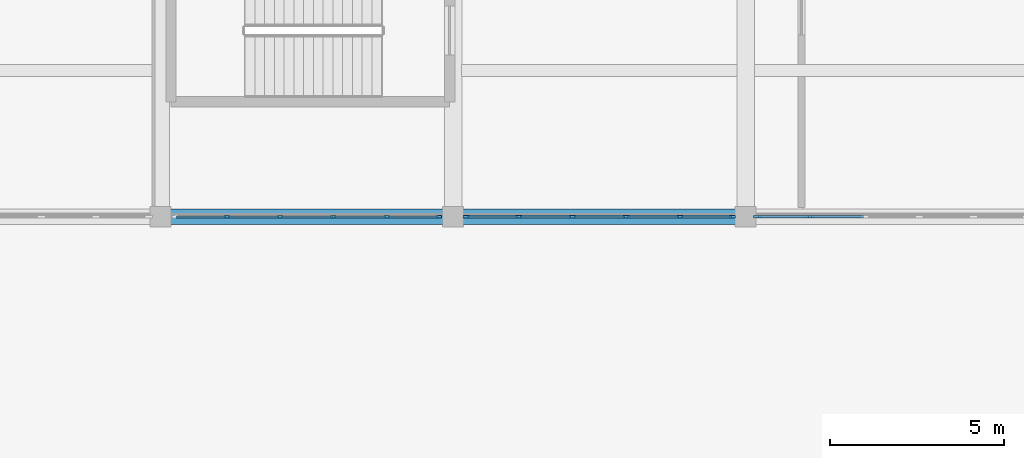
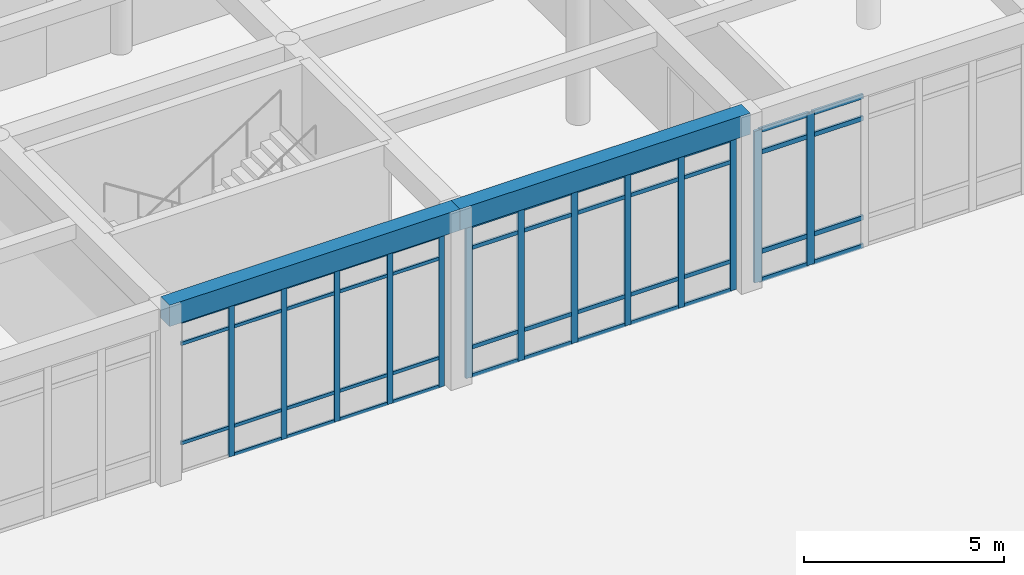
# One storey, part 25 of 157: 60 members, 2 beams, 3 elements without a shape of their own.
"""IFC4 building model written with IfcOpenShell, lengths in metres."""

from ifc_helpers import new_model, si_unit, direction, frame, origin, origin_2d, place, context, subcontext, project, spatial, rectangle, extrude, material, material_profile, profile_set, type_object, element, aggregate, save


model = new_model("IFC4")

# Units and contexts
model_context = context("Model", 3, precision=1e-05, world=origin(), true_north=direction((0.0, 1.0)))
body_context = subcontext(model_context, "Body", "Model", "MODEL_VIEW")
ifc_project = project(units=[si_unit("LENGTHUNIT", "METRE"), si_unit("AREAUNIT", "SQUARE_METRE"), si_unit("VOLUMEUNIT", "CUBIC_METRE"), si_unit("PLANEANGLEUNIT", "RADIAN"), si_unit("MASSUNIT", "GRAM", prefix="KILO")], contexts=[model_context])

# Site, building, storey
site_placement = place(None, origin())
site = spatial("IfcSite", under=ifc_project, at=site_placement, CompositionType="ELEMENT")
building_placement = place(site_placement, origin())
building = spatial("IfcBuilding", under=site, at=building_placement, Name="Varncliffe General Hospital", CompositionType="ELEMENT")
storey_placement = place(building_placement, frame((0.0, 0.0, 5.39990234375)))
storey = spatial("IfcBuildingStorey", under=building, at=storey_placement, Name="L01", CompositionType="ELEMENT", Elevation=5.39990234375)

# Curtain wall, members
ifc_material_1 = material(Name="Triple low-E argon insulated vision glazing", Category="glass")
curtain_wall_type_1 = type_object("IfcCurtainWallType", Name="Unitised Glazed Curtain Wall CW70 (7724x4640)", PredefinedType="USERDEFINED", material=ifc_material_1)
curtain_wall_1_placement = place(storey_placement, origin())
curtain_wall_1 = element("IfcCurtainWall", 1, at=curtain_wall_1_placement, inside=storey, type_object=curtain_wall_type_1, Name="L01 Glazed Curtain Wall CW70-103", ObjectType="GLAZED CURTAIN WALL", PredefinedType="USERDEFINED")
ifc_material_2 = material(Name="Dark bronze thermally broken aluminium framing", Category="aluminium")
ifc_material_profile_1 = material_profile(ifc_material_2, rectangle(XDim=0.074951171875, YDim=0.179931640625, at=origin_2d()), Name="ALU 75x180")
ifc_profile_set_1 = profile_set([ifc_material_profile_1], Name="Dark bronze thermally broken aluminium framing")
member_type_1 = type_object("IfcMemberType", Name="Curtain Wall Mullion CM44 (ALU 75x180)", PredefinedType="MULLION", material=ifc_profile_set_1)
member_1_placement = place(storey_placement, frame((92.0244140625, 57.60009765625, 0.0), z_axis=(0.0, 0.0, 1.0), x_axis=(0.0, -1.0, 0.0)))
member_1 = element("IfcMember", 2, at=member_1_placement, type_object=member_type_1, Name="CW70 mullion 1", PredefinedType="MULLION", context=body_context, shape_type="SweptSolid", body=[
    extrude(rectangle(XDim=0.074951171875, YDim=0.179931640625, at=origin_2d()), origin(), (0.0, 0.0, 1.0), 4.64013671875),
])
member_2_placement = place(storey_placement, frame((90.51708984375, 57.60009765625, 0.0), z_axis=(0.0, 0.0, 1.0), x_axis=(0.0, -1.0, 0.0)))
member_2 = element("IfcMember", 3, at=member_2_placement, type_object=member_type_1, Name="CW70 mullion 2", PredefinedType="MULLION", context=body_context, shape_type="SweptSolid", body=[
    extrude(rectangle(XDim=0.074951171875, YDim=0.179931640625, at=origin_2d()), origin(), (0.0, 0.0, 1.0), 4.64013671875),
])
member_3_placement = place(storey_placement, frame((88.972412109375, 57.60009765625, 0.0), z_axis=(0.0, 0.0, 1.0), x_axis=(0.0, -1.0, 0.0)))
member_3 = element("IfcMember", 4, at=member_3_placement, type_object=member_type_1, Name="CW70 mullion 3", PredefinedType="MULLION", context=body_context, shape_type="SweptSolid", body=[
    extrude(rectangle(XDim=0.074951171875, YDim=0.179931640625, at=origin_2d()), origin(), (0.0, 0.0, 1.0), 4.64013671875),
])
member_4_placement = place(storey_placement, frame((87.427490234375, 57.60009765625, 0.0), z_axis=(0.0, 0.0, 1.0), x_axis=(0.0, -1.0, 0.0)))
member_4 = element("IfcMember", 5, at=member_4_placement, type_object=member_type_1, Name="CW70 mullion 4", PredefinedType="MULLION", context=body_context, shape_type="SweptSolid", body=[
    extrude(rectangle(XDim=0.074951171875, YDim=0.179931640625, at=origin_2d()), origin(), (0.0, 0.0, 1.0), 4.64013671875),
])
member_5_placement = place(storey_placement, frame((85.8828125, 57.60009765625, 0.0), z_axis=(0.0, 0.0, 1.0), x_axis=(0.0, -1.0, 0.0)))
member_5 = element("IfcMember", 6, at=member_5_placement, type_object=member_type_1, Name="CW70 mullion 5", PredefinedType="MULLION", context=body_context, shape_type="SweptSolid", body=[
    extrude(rectangle(XDim=0.074951171875, YDim=0.179931640625, at=origin_2d()), origin(), (0.0, 0.0, 1.0), 4.64013671875),
])
member_6_placement = place(storey_placement, frame((84.37548828125, 57.60009765625, 0.0), z_axis=(0.0, 0.0, 1.0), x_axis=(0.0, -1.0, 0.0)))
member_6 = element("IfcMember", 7, at=member_6_placement, type_object=member_type_1, Name="CW70 mullion 6", PredefinedType="MULLION", context=body_context, shape_type="SweptSolid", body=[
    extrude(rectangle(XDim=0.074951171875, YDim=0.179931640625, at=origin_2d()), origin(), (0.0, 0.0, 1.0), 4.64013671875),
])

curtain_wall_type_2 = type_object("IfcCurtainWallType", Name="Unitised Glazed Curtain Wall CW27 (7644x4640)", PredefinedType="USERDEFINED", material=ifc_material_1)
curtain_wall_2_placement = place(storey_placement, origin())
curtain_wall_2 = element("IfcCurtainWall", 8, at=curtain_wall_2_placement, inside=storey, type_object=curtain_wall_type_2, Name="L01 Glazed Curtain Wall CW27-104", ObjectType="GLAZED CURTAIN WALL", PredefinedType="USERDEFINED")
ifc_material_profile_2 = material_profile(ifc_material_2, rectangle(XDim=0.06494140625, YDim=0.159912109375, at=origin_2d()), Name="ALU 65x160")
ifc_profile_set_2 = profile_set([ifc_material_profile_2], Name="Dark bronze thermally broken aluminium framing")
member_type_2 = type_object("IfcMemberType", Name="Curtain Wall Mullion CM65 (ALU 65x160)", PredefinedType="MULLION", material=ifc_profile_set_2)
member_7_placement = place(storey_placement, frame((83.589599609375, 57.60009765625, 0.0), z_axis=(0.0, 0.0, 1.0), x_axis=(0.0, -1.0, 0.0)))
member_7 = element("IfcMember", 9, at=member_7_placement, type_object=member_type_2, Name="CW27 mullion 1", PredefinedType="MULLION", context=body_context, shape_type="SweptSolid", body=[
    extrude(rectangle(XDim=0.06494140625, YDim=0.159912109375, at=origin_2d()), origin(), (0.0, 0.0, 1.0), 4.64013671875),
])
member_8_placement = place(storey_placement, frame((82.09326171875, 57.60009765625, 0.0), z_axis=(0.0, 0.0, 1.0), x_axis=(0.0, -1.0, 0.0)))
member_8 = element("IfcMember", 10, at=member_8_placement, type_object=member_type_2, Name="CW27 mullion 2", PredefinedType="MULLION", context=body_context, shape_type="SweptSolid", body=[
    extrude(rectangle(XDim=0.06494140625, YDim=0.159912109375, at=origin_2d()), origin(), (0.0, 0.0, 1.0), 4.64013671875),
])
member_9_placement = place(storey_placement, frame((80.564453125, 57.60009765625, 0.0), z_axis=(0.0, 0.0, 1.0), x_axis=(0.0, -1.0, 0.0)))
member_9 = element("IfcMember", 11, at=member_9_placement, type_object=member_type_2, Name="CW27 mullion 3", PredefinedType="MULLION", context=body_context, shape_type="SweptSolid", body=[
    extrude(rectangle(XDim=0.06494140625, YDim=0.159912109375, at=origin_2d()), origin(), (0.0, 0.0, 1.0), 4.64013671875),
])
member_10_placement = place(storey_placement, frame((79.03564453125, 57.60009765625, 0.0), z_axis=(0.0, 0.0, 1.0), x_axis=(0.0, -1.0, 0.0)))
member_10 = element("IfcMember", 12, at=member_10_placement, type_object=member_type_2, Name="CW27 mullion 4", PredefinedType="MULLION", context=body_context, shape_type="SweptSolid", body=[
    extrude(rectangle(XDim=0.06494140625, YDim=0.159912109375, at=origin_2d()), origin(), (0.0, 0.0, 1.0), 4.64013671875),
])
member_11_placement = place(storey_placement, frame((77.5068359375, 57.60009765625, 0.0), z_axis=(0.0, 0.0, 1.0), x_axis=(0.0, -1.0, 0.0)))
member_11 = element("IfcMember", 13, at=member_11_placement, type_object=member_type_2, Name="CW27 mullion 5", PredefinedType="MULLION", context=body_context, shape_type="SweptSolid", body=[
    extrude(rectangle(XDim=0.06494140625, YDim=0.159912109375, at=origin_2d()), origin(), (0.0, 0.0, 1.0), 4.64013671875),
])

curtain_wall_type_3 = type_object("IfcCurtainWallType", Name="Unitised Glazed Curtain Wall CW85 (7804x4640)", PredefinedType="USERDEFINED", material=ifc_material_1)
curtain_wall_3_placement = place(storey_placement, origin())
curtain_wall_3 = element("IfcCurtainWall", 14, at=curtain_wall_3_placement, inside=storey, type_object=curtain_wall_type_3, Name="L01 Glazed Curtain Wall CW85-102", ObjectType="GLAZED CURTAIN WALL", PredefinedType="USERDEFINED")
ifc_material_profile_3 = material_profile(ifc_material_2, rectangle(XDim=0.074951171875, YDim=0.219970703125, at=origin_2d()), Name="ALU 75x220")
ifc_profile_set_3 = profile_set([ifc_material_profile_3], Name="Dark bronze thermally broken aluminium framing")
member_type_3 = type_object("IfcMemberType", Name="Curtain Wall Mullion CM74 (ALU 75x220)", PredefinedType="MULLION", material=ifc_profile_set_3)
member_12_placement = place(storey_placement, frame((94.2587890625, 57.60009765625, 0.0), z_axis=(0.0, 0.0, 1.0), x_axis=(0.0, -1.0, 0.0)))
member_12 = element("IfcMember", 15, at=member_12_placement, type_object=member_type_3, Name="CW85 mullion 5", PredefinedType="MULLION", context=body_context, shape_type="SweptSolid", body=[
    extrude(rectangle(XDim=0.074951171875, YDim=0.219970703125, at=origin_2d()), origin(), (0.0, 0.0, 1.0), 4.64013671875),
])
member_13_placement = place(storey_placement, frame((92.735595703125, 57.60009765625, 0.0), z_axis=(0.0, 0.0, 1.0), x_axis=(0.0, -1.0, 0.0)))
member_13 = element("IfcMember", 16, at=member_13_placement, type_object=member_type_3, Name="CW85 mullion 6", PredefinedType="MULLION", context=body_context, shape_type="SweptSolid", body=[
    extrude(rectangle(XDim=0.074951171875, YDim=0.219970703125, at=origin_2d()), origin(), (0.0, 0.0, 1.0), 4.64013671875),
])

# Member
ifc_material_profile_4 = material_profile(ifc_material_2, rectangle(XDim=0.06005859375, YDim=0.1201171875, at=origin_2d()), Name="ALU 60x120")
ifc_profile_set_4 = profile_set([ifc_material_profile_4], Name="Dark bronze thermally broken aluminium framing")
member_type_4 = type_object("IfcMemberType", Name="Curtain Wall Transom CT14 (ALU 60x120)", PredefinedType="USERDEFINED", material=ifc_profile_set_4)
member_14_placement = place(storey_placement, frame((91.987060546875, 57.60009765625, 0.030029296875), z_axis=(-1.0, 0.0, 0.0), x_axis=(0.0, -1.0, 0.0)))
member_14 = element("IfcMember", 17, at=member_14_placement, type_object=member_type_4, Name="CW70 transom 1.1", ObjectType="TRANSOM", PredefinedType="USERDEFINED", context=body_context, shape_type="SweptSolid", body=[
    extrude(rectangle(XDim=0.06005859375, YDim=0.1201171875, at=origin_2d()), origin(), (0.0, 0.0, 1.0), 1.432373046875),
])

member_15_placement = place(storey_placement, frame((91.987060546875, 57.60009765625, 0.900146484375), z_axis=(-1.0, 0.0, 0.0), x_axis=(0.0, -1.0, 0.0)))
member_15 = element("IfcMember", 18, at=member_15_placement, type_object=member_type_4, Name="CW70 transom 1.2", ObjectType="TRANSOM", PredefinedType="USERDEFINED", context=body_context, shape_type="SweptSolid", body=[
    extrude(rectangle(XDim=0.06005859375, YDim=0.1201171875, at=origin_2d()), origin(), (0.0, 0.0, 1.0), 1.432373046875),
])

member_16_placement = place(storey_placement, frame((91.987060546875, 57.60009765625, 3.940185546875), z_axis=(-1.0, 0.0, 0.0), x_axis=(0.0, -1.0, 0.0)))
member_16 = element("IfcMember", 19, at=member_16_placement, type_object=member_type_4, Name="CW70 transom 1.3", ObjectType="TRANSOM", PredefinedType="USERDEFINED", context=body_context, shape_type="SweptSolid", body=[
    extrude(rectangle(XDim=0.06005859375, YDim=0.1201171875, at=origin_2d()), origin(), (0.0, 0.0, 1.0), 1.432373046875),
])

member_17_placement = place(storey_placement, frame((91.987060546875, 57.60009765625, 4.610107421875), z_axis=(-1.0, 0.0, 0.0), x_axis=(0.0, -1.0, 0.0)))
member_17 = element("IfcMember", 20, at=member_17_placement, type_object=member_type_4, Name="CW70 transom 1.4", ObjectType="TRANSOM", PredefinedType="USERDEFINED", context=body_context, shape_type="SweptSolid", body=[
    extrude(rectangle(XDim=0.06005859375, YDim=0.1201171875, at=origin_2d()), origin(), (0.0, 0.0, 1.0), 1.432373046875),
])

member_18_placement = place(storey_placement, frame((90.479736328125, 57.60009765625, 0.030029296875), z_axis=(-1.0, 0.0, 0.0), x_axis=(0.0, -1.0, 0.0)))
member_18 = element("IfcMember", 21, at=member_18_placement, type_object=member_type_4, Name="CW70 transom 2.1", ObjectType="TRANSOM", PredefinedType="USERDEFINED", context=body_context, shape_type="SweptSolid", body=[
    extrude(rectangle(XDim=0.06005859375, YDim=0.1201171875, at=origin_2d()), origin(), (0.0, 0.0, 1.0), 1.4697265625),
])

member_19_placement = place(storey_placement, frame((90.479736328125, 57.60009765625, 0.900146484375), z_axis=(-1.0, 0.0, 0.0), x_axis=(0.0, -1.0, 0.0)))
member_19 = element("IfcMember", 22, at=member_19_placement, type_object=member_type_4, Name="CW70 transom 2.2", ObjectType="TRANSOM", PredefinedType="USERDEFINED", context=body_context, shape_type="SweptSolid", body=[
    extrude(rectangle(XDim=0.06005859375, YDim=0.1201171875, at=origin_2d()), origin(), (0.0, 0.0, 1.0), 1.4697265625),
])

member_20_placement = place(storey_placement, frame((90.479736328125, 57.60009765625, 3.940185546875), z_axis=(-1.0, 0.0, 0.0), x_axis=(0.0, -1.0, 0.0)))
member_20 = element("IfcMember", 23, at=member_20_placement, type_object=member_type_4, Name="CW70 transom 2.3", ObjectType="TRANSOM", PredefinedType="USERDEFINED", context=body_context, shape_type="SweptSolid", body=[
    extrude(rectangle(XDim=0.06005859375, YDim=0.1201171875, at=origin_2d()), origin(), (0.0, 0.0, 1.0), 1.4697265625),
])

member_21_placement = place(storey_placement, frame((90.479736328125, 57.60009765625, 4.610107421875), z_axis=(-1.0, 0.0, 0.0), x_axis=(0.0, -1.0, 0.0)))
member_21 = element("IfcMember", 24, at=member_21_placement, type_object=member_type_4, Name="CW70 transom 2.4", ObjectType="TRANSOM", PredefinedType="USERDEFINED", context=body_context, shape_type="SweptSolid", body=[
    extrude(rectangle(XDim=0.06005859375, YDim=0.1201171875, at=origin_2d()), origin(), (0.0, 0.0, 1.0), 1.4697265625),
])

member_22_placement = place(storey_placement, frame((88.934814453125, 57.60009765625, 0.030029296875), z_axis=(-1.0, 0.0, 0.0), x_axis=(0.0, -1.0, 0.0)))
member_22 = element("IfcMember", 25, at=member_22_placement, type_object=member_type_4, Name="CW70 transom 3.1", ObjectType="TRANSOM", PredefinedType="USERDEFINED", context=body_context, shape_type="SweptSolid", body=[
    extrude(rectangle(XDim=0.06005859375, YDim=0.1201171875, at=origin_2d()), origin(), (0.0, 0.0, 1.0), 1.4697265625),
])

member_23_placement = place(storey_placement, frame((88.934814453125, 57.60009765625, 0.900146484375), z_axis=(-1.0, 0.0, 0.0), x_axis=(0.0, -1.0, 0.0)))
member_23 = element("IfcMember", 26, at=member_23_placement, type_object=member_type_4, Name="CW70 transom 3.2", ObjectType="TRANSOM", PredefinedType="USERDEFINED", context=body_context, shape_type="SweptSolid", body=[
    extrude(rectangle(XDim=0.06005859375, YDim=0.1201171875, at=origin_2d()), origin(), (0.0, 0.0, 1.0), 1.4697265625),
])

member_24_placement = place(storey_placement, frame((88.934814453125, 57.60009765625, 3.940185546875), z_axis=(-1.0, 0.0, 0.0), x_axis=(0.0, -1.0, 0.0)))
member_24 = element("IfcMember", 27, at=member_24_placement, type_object=member_type_4, Name="CW70 transom 3.3", ObjectType="TRANSOM", PredefinedType="USERDEFINED", context=body_context, shape_type="SweptSolid", body=[
    extrude(rectangle(XDim=0.06005859375, YDim=0.1201171875, at=origin_2d()), origin(), (0.0, 0.0, 1.0), 1.4697265625),
])

member_25_placement = place(storey_placement, frame((88.934814453125, 57.60009765625, 4.610107421875), z_axis=(-1.0, 0.0, 0.0), x_axis=(0.0, -1.0, 0.0)))
member_25 = element("IfcMember", 28, at=member_25_placement, type_object=member_type_4, Name="CW70 transom 3.4", ObjectType="TRANSOM", PredefinedType="USERDEFINED", context=body_context, shape_type="SweptSolid", body=[
    extrude(rectangle(XDim=0.06005859375, YDim=0.1201171875, at=origin_2d()), origin(), (0.0, 0.0, 1.0), 1.4697265625),
])

member_26_placement = place(storey_placement, frame((87.39013671875, 57.60009765625, 0.030029296875), z_axis=(-1.0, 0.0, 0.0), x_axis=(0.0, -1.0, 0.0)))
member_26 = element("IfcMember", 29, at=member_26_placement, type_object=member_type_4, Name="CW70 transom 4.1", ObjectType="TRANSOM", PredefinedType="USERDEFINED", context=body_context, shape_type="SweptSolid", body=[
    extrude(rectangle(XDim=0.06005859375, YDim=0.1201171875, at=origin_2d()), origin(), (0.0, 0.0, 1.0), 1.4697265625),
])

member_27_placement = place(storey_placement, frame((87.39013671875, 57.60009765625, 0.900146484375), z_axis=(-1.0, 0.0, 0.0), x_axis=(0.0, -1.0, 0.0)))
member_27 = element("IfcMember", 30, at=member_27_placement, type_object=member_type_4, Name="CW70 transom 4.2", ObjectType="TRANSOM", PredefinedType="USERDEFINED", context=body_context, shape_type="SweptSolid", body=[
    extrude(rectangle(XDim=0.06005859375, YDim=0.1201171875, at=origin_2d()), origin(), (0.0, 0.0, 1.0), 1.4697265625),
])

member_28_placement = place(storey_placement, frame((87.39013671875, 57.60009765625, 3.940185546875), z_axis=(-1.0, 0.0, 0.0), x_axis=(0.0, -1.0, 0.0)))
member_28 = element("IfcMember", 31, at=member_28_placement, type_object=member_type_4, Name="CW70 transom 4.3", ObjectType="TRANSOM", PredefinedType="USERDEFINED", context=body_context, shape_type="SweptSolid", body=[
    extrude(rectangle(XDim=0.06005859375, YDim=0.1201171875, at=origin_2d()), origin(), (0.0, 0.0, 1.0), 1.4697265625),
])

member_29_placement = place(storey_placement, frame((87.39013671875, 57.60009765625, 4.610107421875), z_axis=(-1.0, 0.0, 0.0), x_axis=(0.0, -1.0, 0.0)))
member_29 = element("IfcMember", 32, at=member_29_placement, type_object=member_type_4, Name="CW70 transom 4.4", ObjectType="TRANSOM", PredefinedType="USERDEFINED", context=body_context, shape_type="SweptSolid", body=[
    extrude(rectangle(XDim=0.06005859375, YDim=0.1201171875, at=origin_2d()), origin(), (0.0, 0.0, 1.0), 1.4697265625),
])

member_30_placement = place(storey_placement, frame((85.84521484375, 57.60009765625, 0.030029296875), z_axis=(-1.0, 0.0, 0.0), x_axis=(0.0, -1.0, 0.0)))
member_30 = element("IfcMember", 33, at=member_30_placement, type_object=member_type_4, Name="CW70 transom 5.1", ObjectType="TRANSOM", PredefinedType="USERDEFINED", context=body_context, shape_type="SweptSolid", body=[
    extrude(rectangle(XDim=0.06005859375, YDim=0.1201171875, at=origin_2d()), origin(), (0.0, 0.0, 1.0), 1.43212890625),
])

member_31_placement = place(storey_placement, frame((85.84521484375, 57.60009765625, 0.900146484375), z_axis=(-1.0, 0.0, 0.0), x_axis=(0.0, -1.0, 0.0)))
member_31 = element("IfcMember", 34, at=member_31_placement, type_object=member_type_4, Name="CW70 transom 5.2", ObjectType="TRANSOM", PredefinedType="USERDEFINED", context=body_context, shape_type="SweptSolid", body=[
    extrude(rectangle(XDim=0.06005859375, YDim=0.1201171875, at=origin_2d()), origin(), (0.0, 0.0, 1.0), 1.43212890625),
])

member_32_placement = place(storey_placement, frame((85.84521484375, 57.60009765625, 3.940185546875), z_axis=(-1.0, 0.0, 0.0), x_axis=(0.0, -1.0, 0.0)))
member_32 = element("IfcMember", 35, at=member_32_placement, type_object=member_type_4, Name="CW70 transom 5.3", ObjectType="TRANSOM", PredefinedType="USERDEFINED", context=body_context, shape_type="SweptSolid", body=[
    extrude(rectangle(XDim=0.06005859375, YDim=0.1201171875, at=origin_2d()), origin(), (0.0, 0.0, 1.0), 1.43212890625),
])

member_33_placement = place(storey_placement, frame((85.84521484375, 57.60009765625, 4.610107421875), z_axis=(-1.0, 0.0, 0.0), x_axis=(0.0, -1.0, 0.0)))
member_33 = element("IfcMember", 36, at=member_33_placement, type_object=member_type_4, Name="CW70 transom 5.4", ObjectType="TRANSOM", PredefinedType="USERDEFINED", context=body_context, shape_type="SweptSolid", body=[
    extrude(rectangle(XDim=0.06005859375, YDim=0.1201171875, at=origin_2d()), origin(), (0.0, 0.0, 1.0), 1.43212890625),
])

aggregate(curtain_wall_1, [member_1, member_2, member_3, member_4, member_5, member_6, member_14, member_15, member_16, member_17, member_18, member_19, member_20, member_21, member_22, member_23, member_24, member_25, member_26, member_27, member_28, member_29, member_30, member_31, member_32, member_33])

ifc_material_profile_5 = material_profile(ifc_material_2, rectangle(XDim=0.06005859375, YDim=0.10009765625, at=origin_2d()), Name="ALU 60x100")
ifc_profile_set_5 = profile_set([ifc_material_profile_5], Name="Dark bronze thermally broken aluminium framing")
member_type_5 = type_object("IfcMemberType", Name="Curtain Wall Transom CT18 (ALU 60x100)", PredefinedType="USERDEFINED", material=ifc_profile_set_5)
member_34_placement = place(storey_placement, frame((83.556884765625, 57.60009765625, 0.030029296875), z_axis=(-1.0, 0.0, 0.0), x_axis=(0.0, -1.0, 0.0)))
member_34 = element("IfcMember", 37, at=member_34_placement, type_object=member_type_5, Name="CW27 transom 1.1", ObjectType="TRANSOM", PredefinedType="USERDEFINED", context=body_context, shape_type="SweptSolid", body=[
    extrude(rectangle(XDim=0.06005859375, YDim=0.10009765625, at=origin_2d()), origin(), (0.0, 0.0, 1.0), 1.43115234375),
])

member_35_placement = place(storey_placement, frame((83.556884765625, 57.60009765625, 0.900146484375), z_axis=(-1.0, 0.0, 0.0), x_axis=(0.0, -1.0, 0.0)))
member_35 = element("IfcMember", 38, at=member_35_placement, type_object=member_type_5, Name="CW27 transom 1.2", ObjectType="TRANSOM", PredefinedType="USERDEFINED", context=body_context, shape_type="SweptSolid", body=[
    extrude(rectangle(XDim=0.06005859375, YDim=0.10009765625, at=origin_2d()), origin(), (0.0, 0.0, 1.0), 1.43115234375),
])

member_36_placement = place(storey_placement, frame((83.556884765625, 57.60009765625, 3.940185546875), z_axis=(-1.0, 0.0, 0.0), x_axis=(0.0, -1.0, 0.0)))
member_36 = element("IfcMember", 39, at=member_36_placement, type_object=member_type_5, Name="CW27 transom 1.3", ObjectType="TRANSOM", PredefinedType="USERDEFINED", context=body_context, shape_type="SweptSolid", body=[
    extrude(rectangle(XDim=0.06005859375, YDim=0.10009765625, at=origin_2d()), origin(), (0.0, 0.0, 1.0), 1.43115234375),
])

member_37_placement = place(storey_placement, frame((83.556884765625, 57.60009765625, 4.610107421875), z_axis=(-1.0, 0.0, 0.0), x_axis=(0.0, -1.0, 0.0)))
member_37 = element("IfcMember", 40, at=member_37_placement, type_object=member_type_5, Name="CW27 transom 1.4", ObjectType="TRANSOM", PredefinedType="USERDEFINED", context=body_context, shape_type="SweptSolid", body=[
    extrude(rectangle(XDim=0.06005859375, YDim=0.10009765625, at=origin_2d()), origin(), (0.0, 0.0, 1.0), 1.43115234375),
])

member_38_placement = place(storey_placement, frame((82.060791015625, 57.60009765625, 0.030029296875), z_axis=(-1.0, 0.0, 0.0), x_axis=(0.0, -1.0, 0.0)))
member_38 = element("IfcMember", 41, at=member_38_placement, type_object=member_type_5, Name="CW27 transom 2.1", ObjectType="TRANSOM", PredefinedType="USERDEFINED", context=body_context, shape_type="SweptSolid", body=[
    extrude(rectangle(XDim=0.06005859375, YDim=0.10009765625, at=origin_2d()), origin(), (0.0, 0.0, 1.0), 1.4638671875),
])

member_39_placement = place(storey_placement, frame((82.060791015625, 57.60009765625, 0.900146484375), z_axis=(-1.0, 0.0, 0.0), x_axis=(0.0, -1.0, 0.0)))
member_39 = element("IfcMember", 42, at=member_39_placement, type_object=member_type_5, Name="CW27 transom 2.2", ObjectType="TRANSOM", PredefinedType="USERDEFINED", context=body_context, shape_type="SweptSolid", body=[
    extrude(rectangle(XDim=0.06005859375, YDim=0.10009765625, at=origin_2d()), origin(), (0.0, 0.0, 1.0), 1.4638671875),
])

member_40_placement = place(storey_placement, frame((82.060791015625, 57.60009765625, 3.940185546875), z_axis=(-1.0, 0.0, 0.0), x_axis=(0.0, -1.0, 0.0)))
member_40 = element("IfcMember", 43, at=member_40_placement, type_object=member_type_5, Name="CW27 transom 2.3", ObjectType="TRANSOM", PredefinedType="USERDEFINED", context=body_context, shape_type="SweptSolid", body=[
    extrude(rectangle(XDim=0.06005859375, YDim=0.10009765625, at=origin_2d()), origin(), (0.0, 0.0, 1.0), 1.4638671875),
])

member_41_placement = place(storey_placement, frame((82.060791015625, 57.60009765625, 4.610107421875), z_axis=(-1.0, 0.0, 0.0), x_axis=(0.0, -1.0, 0.0)))
member_41 = element("IfcMember", 44, at=member_41_placement, type_object=member_type_5, Name="CW27 transom 2.4", ObjectType="TRANSOM", PredefinedType="USERDEFINED", context=body_context, shape_type="SweptSolid", body=[
    extrude(rectangle(XDim=0.06005859375, YDim=0.10009765625, at=origin_2d()), origin(), (0.0, 0.0, 1.0), 1.4638671875),
])

member_42_placement = place(storey_placement, frame((80.531982421875, 57.60009765625, 0.030029296875), z_axis=(-1.0, 0.0, 0.0), x_axis=(0.0, -1.0, 0.0)))
member_42 = element("IfcMember", 45, at=member_42_placement, type_object=member_type_5, Name="CW27 transom 3.1", ObjectType="TRANSOM", PredefinedType="USERDEFINED", context=body_context, shape_type="SweptSolid", body=[
    extrude(rectangle(XDim=0.06005859375, YDim=0.10009765625, at=origin_2d()), origin(), (0.0, 0.0, 1.0), 1.4638671875),
])

member_43_placement = place(storey_placement, frame((80.531982421875, 57.60009765625, 0.900146484375), z_axis=(-1.0, 0.0, 0.0), x_axis=(0.0, -1.0, 0.0)))
member_43 = element("IfcMember", 46, at=member_43_placement, type_object=member_type_5, Name="CW27 transom 3.2", ObjectType="TRANSOM", PredefinedType="USERDEFINED", context=body_context, shape_type="SweptSolid", body=[
    extrude(rectangle(XDim=0.06005859375, YDim=0.10009765625, at=origin_2d()), origin(), (0.0, 0.0, 1.0), 1.4638671875),
])

member_44_placement = place(storey_placement, frame((80.531982421875, 57.60009765625, 3.940185546875), z_axis=(-1.0, 0.0, 0.0), x_axis=(0.0, -1.0, 0.0)))
member_44 = element("IfcMember", 47, at=member_44_placement, type_object=member_type_5, Name="CW27 transom 3.3", ObjectType="TRANSOM", PredefinedType="USERDEFINED", context=body_context, shape_type="SweptSolid", body=[
    extrude(rectangle(XDim=0.06005859375, YDim=0.10009765625, at=origin_2d()), origin(), (0.0, 0.0, 1.0), 1.4638671875),
])

member_45_placement = place(storey_placement, frame((80.531982421875, 57.60009765625, 4.610107421875), z_axis=(-1.0, 0.0, 0.0), x_axis=(0.0, -1.0, 0.0)))
member_45 = element("IfcMember", 48, at=member_45_placement, type_object=member_type_5, Name="CW27 transom 3.4", ObjectType="TRANSOM", PredefinedType="USERDEFINED", context=body_context, shape_type="SweptSolid", body=[
    extrude(rectangle(XDim=0.06005859375, YDim=0.10009765625, at=origin_2d()), origin(), (0.0, 0.0, 1.0), 1.4638671875),
])

member_46_placement = place(storey_placement, frame((79.003173828125, 57.60009765625, 0.030029296875), z_axis=(-1.0, 0.0, 0.0), x_axis=(0.0, -1.0, 0.0)))
member_46 = element("IfcMember", 49, at=member_46_placement, type_object=member_type_5, Name="CW27 transom 4.1", ObjectType="TRANSOM", PredefinedType="USERDEFINED", context=body_context, shape_type="SweptSolid", body=[
    extrude(rectangle(XDim=0.06005859375, YDim=0.10009765625, at=origin_2d()), origin(), (0.0, 0.0, 1.0), 1.4638671875),
])

member_47_placement = place(storey_placement, frame((79.003173828125, 57.60009765625, 0.900146484375), z_axis=(-1.0, 0.0, 0.0), x_axis=(0.0, -1.0, 0.0)))
member_47 = element("IfcMember", 50, at=member_47_placement, type_object=member_type_5, Name="CW27 transom 4.2", ObjectType="TRANSOM", PredefinedType="USERDEFINED", context=body_context, shape_type="SweptSolid", body=[
    extrude(rectangle(XDim=0.06005859375, YDim=0.10009765625, at=origin_2d()), origin(), (0.0, 0.0, 1.0), 1.4638671875),
])

member_48_placement = place(storey_placement, frame((79.003173828125, 57.60009765625, 3.940185546875), z_axis=(-1.0, 0.0, 0.0), x_axis=(0.0, -1.0, 0.0)))
member_48 = element("IfcMember", 51, at=member_48_placement, type_object=member_type_5, Name="CW27 transom 4.3", ObjectType="TRANSOM", PredefinedType="USERDEFINED", context=body_context, shape_type="SweptSolid", body=[
    extrude(rectangle(XDim=0.06005859375, YDim=0.10009765625, at=origin_2d()), origin(), (0.0, 0.0, 1.0), 1.4638671875),
])

member_49_placement = place(storey_placement, frame((79.003173828125, 57.60009765625, 4.610107421875), z_axis=(-1.0, 0.0, 0.0), x_axis=(0.0, -1.0, 0.0)))
member_49 = element("IfcMember", 52, at=member_49_placement, type_object=member_type_5, Name="CW27 transom 4.4", ObjectType="TRANSOM", PredefinedType="USERDEFINED", context=body_context, shape_type="SweptSolid", body=[
    extrude(rectangle(XDim=0.06005859375, YDim=0.10009765625, at=origin_2d()), origin(), (0.0, 0.0, 1.0), 1.4638671875),
])

member_50_placement = place(storey_placement, frame((77.474365234375, 57.60009765625, 0.900146484375), z_axis=(-1.0, 0.0, 0.0), x_axis=(0.0, -1.0, 0.0)))
member_50 = element("IfcMember", 53, at=member_50_placement, type_object=member_type_5, Name="CW27 transom 5.2", ObjectType="TRANSOM", PredefinedType="USERDEFINED", context=body_context, shape_type="SweptSolid", body=[
    extrude(rectangle(XDim=0.06005859375, YDim=0.10009765625, at=origin_2d()), origin(), (0.0, 0.0, 1.0), 1.431396484375),
])

member_51_placement = place(storey_placement, frame((77.474365234375, 57.60009765625, 3.940185546875), z_axis=(-1.0, 0.0, 0.0), x_axis=(0.0, -1.0, 0.0)))
member_51 = element("IfcMember", 54, at=member_51_placement, type_object=member_type_5, Name="CW27 transom 5.3", ObjectType="TRANSOM", PredefinedType="USERDEFINED", context=body_context, shape_type="SweptSolid", body=[
    extrude(rectangle(XDim=0.06005859375, YDim=0.10009765625, at=origin_2d()), origin(), (0.0, 0.0, 1.0), 1.431396484375),
])

member_52_placement = place(storey_placement, frame((77.474365234375, 57.60009765625, 4.610107421875), z_axis=(-1.0, 0.0, 0.0), x_axis=(0.0, -1.0, 0.0)))
member_52 = element("IfcMember", 55, at=member_52_placement, type_object=member_type_5, Name="CW27 transom 5.4", ObjectType="TRANSOM", PredefinedType="USERDEFINED", context=body_context, shape_type="SweptSolid", body=[
    extrude(rectangle(XDim=0.06005859375, YDim=0.10009765625, at=origin_2d()), origin(), (0.0, 0.0, 1.0), 1.431396484375),
])

aggregate(curtain_wall_2, [member_7, member_8, member_9, member_10, member_11, member_34, member_35, member_36, member_37, member_38, member_39, member_40, member_41, member_42, member_43, member_44, member_45, member_46, member_47, member_48, member_49, member_50, member_51, member_52])

ifc_material_profile_6 = material_profile(ifc_material_2, rectangle(XDim=0.06494140625, YDim=0.139892578125, at=origin_2d()), Name="ALU 65x140")
ifc_profile_set_6 = profile_set([ifc_material_profile_6], Name="Dark bronze thermally broken aluminium framing")
member_type_6 = type_object("IfcMemberType", Name="Curtain Wall Transom CT69 (ALU 65x140)", PredefinedType="USERDEFINED", material=ifc_profile_set_6)
member_53_placement = place(storey_placement, frame((95.781982421875, 57.60009765625, 0.03271484375), z_axis=(-1.0, 0.0, 0.0), x_axis=(0.0, -1.0, 0.0)))
member_53 = element("IfcMember", 56, at=member_53_placement, type_object=member_type_6, Name="CW85 transom 4.1", ObjectType="TRANSOM", PredefinedType="USERDEFINED", context=body_context, shape_type="SweptSolid", body=[
    extrude(rectangle(XDim=0.06494140625, YDim=0.139892578125, at=origin_2d()), origin(), (0.0, 0.0, 1.0), 1.485595703125),
])

member_54_placement = place(storey_placement, frame((95.781982421875, 57.60009765625, 0.900146484375), z_axis=(-1.0, 0.0, 0.0), x_axis=(0.0, -1.0, 0.0)))
member_54 = element("IfcMember", 57, at=member_54_placement, type_object=member_type_6, Name="CW85 transom 4.2", ObjectType="TRANSOM", PredefinedType="USERDEFINED", context=body_context, shape_type="SweptSolid", body=[
    extrude(rectangle(XDim=0.06494140625, YDim=0.139892578125, at=origin_2d()), origin(), (0.0, 0.0, 1.0), 1.485595703125),
])

member_55_placement = place(storey_placement, frame((95.781982421875, 57.60009765625, 3.940185546875), z_axis=(-1.0, 0.0, 0.0), x_axis=(0.0, -1.0, 0.0)))
member_55 = element("IfcMember", 58, at=member_55_placement, type_object=member_type_6, Name="CW85 transom 4.3", ObjectType="TRANSOM", PredefinedType="USERDEFINED", context=body_context, shape_type="SweptSolid", body=[
    extrude(rectangle(XDim=0.06494140625, YDim=0.139892578125, at=origin_2d()), origin(), (0.0, 0.0, 1.0), 1.485595703125),
])

member_56_placement = place(storey_placement, frame((95.781982421875, 57.60009765625, 4.607666015625), z_axis=(-1.0, 0.0, 0.0), x_axis=(0.0, -1.0, 0.0)))
member_56 = element("IfcMember", 59, at=member_56_placement, type_object=member_type_6, Name="CW85 transom 4.4", ObjectType="TRANSOM", PredefinedType="USERDEFINED", context=body_context, shape_type="SweptSolid", body=[
    extrude(rectangle(XDim=0.06494140625, YDim=0.139892578125, at=origin_2d()), origin(), (0.0, 0.0, 1.0), 1.485595703125),
])

member_57_placement = place(storey_placement, frame((94.22119140625, 57.60009765625, 0.03271484375), z_axis=(-1.0, 0.0, 0.0), x_axis=(0.0, -1.0, 0.0)))
member_57 = element("IfcMember", 60, at=member_57_placement, type_object=member_type_6, Name="CW85 transom 5.1", ObjectType="TRANSOM", PredefinedType="USERDEFINED", context=body_context, shape_type="SweptSolid", body=[
    extrude(rectangle(XDim=0.06494140625, YDim=0.139892578125, at=origin_2d()), origin(), (0.0, 0.0, 1.0), 1.4482421875),
])

member_58_placement = place(storey_placement, frame((94.22119140625, 57.60009765625, 0.900146484375), z_axis=(-1.0, 0.0, 0.0), x_axis=(0.0, -1.0, 0.0)))
member_58 = element("IfcMember", 61, at=member_58_placement, type_object=member_type_6, Name="CW85 transom 5.2", ObjectType="TRANSOM", PredefinedType="USERDEFINED", context=body_context, shape_type="SweptSolid", body=[
    extrude(rectangle(XDim=0.06494140625, YDim=0.139892578125, at=origin_2d()), origin(), (0.0, 0.0, 1.0), 1.4482421875),
])

member_59_placement = place(storey_placement, frame((94.22119140625, 57.60009765625, 3.940185546875), z_axis=(-1.0, 0.0, 0.0), x_axis=(0.0, -1.0, 0.0)))
member_59 = element("IfcMember", 62, at=member_59_placement, type_object=member_type_6, Name="CW85 transom 5.3", ObjectType="TRANSOM", PredefinedType="USERDEFINED", context=body_context, shape_type="SweptSolid", body=[
    extrude(rectangle(XDim=0.06494140625, YDim=0.139892578125, at=origin_2d()), origin(), (0.0, 0.0, 1.0), 1.4482421875),
])

member_60_placement = place(storey_placement, frame((94.22119140625, 57.60009765625, 4.607666015625), z_axis=(-1.0, 0.0, 0.0), x_axis=(0.0, -1.0, 0.0)))
member_60 = element("IfcMember", 63, at=member_60_placement, type_object=member_type_6, Name="CW85 transom 5.4", ObjectType="TRANSOM", PredefinedType="USERDEFINED", context=body_context, shape_type="SweptSolid", body=[
    extrude(rectangle(XDim=0.06494140625, YDim=0.139892578125, at=origin_2d()), origin(), (0.0, 0.0, 1.0), 1.4482421875),
])

aggregate(curtain_wall_3, [member_12, member_13, member_53, member_54, member_55, member_56, member_57, member_58, member_59, member_60])

# Beams
ifc_material_3 = material(Name="Concrete C35/45 (CSA A23.1 35 MPa)", Category="concrete")
ifc_material_profile_7 = material_profile(ifc_material_3, rectangle(XDim=0.449951171875, YDim=0.64990234375, at=origin_2d()), Name="RC 450x650")
ifc_profile_set_7 = profile_set([ifc_material_profile_7], Name="Concrete C35/45 (CSA A23.1 35 MPa)")
beam_type = type_object("IfcBeamType", Name="Spandrel SP38 (Ext RC 450x650B)", PredefinedType="SPANDREL", material=ifc_profile_set_7)
for number, where, z_axis, x_axis, name in (
    (64, (75.60009765625, 57.60009765625, 5.0751953125), (1.0, 0.0, 0.0), (0.0, 1.0, 0.0), "L01 Spandrel Beam SP38-78"),
    (65, (84.0, 57.60009765625, 5.0751953125), (1.0, 0.0, 0.0), (0.0, 1.0, 0.0), "L01 Spandrel Beam SP38-79"),
):
    element("IfcBeam", number, at=place(storey_placement, frame(where, z_axis=z_axis, x_axis=x_axis)), inside=storey, type_object=beam_type, Name=name, PredefinedType="SPANDREL", context=body_context, shape_type="SweptSolid", body=[
        extrude(rectangle(XDim=0.449951171875, YDim=0.64990234375, at=origin_2d()), origin(), (0.0, 0.0, 1.0), 8.39990234375),
    ])

save(model, "model.ifc")
